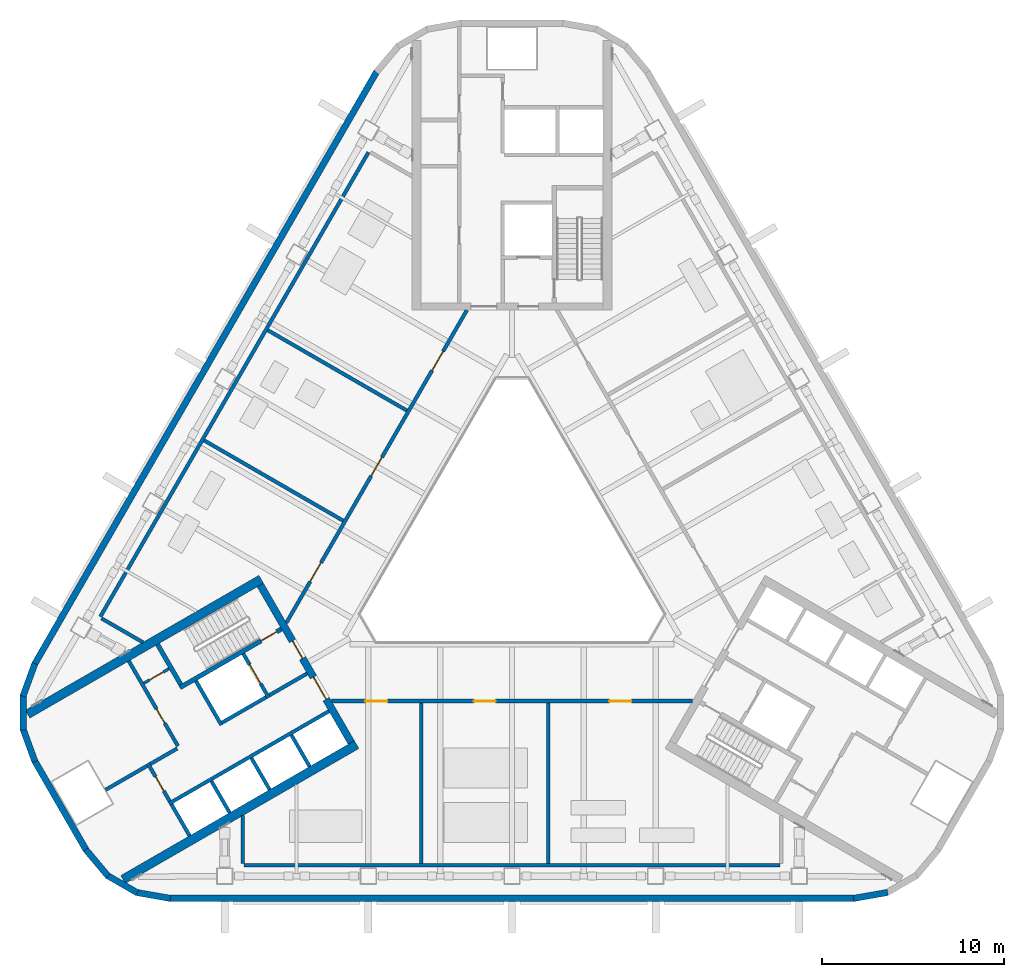
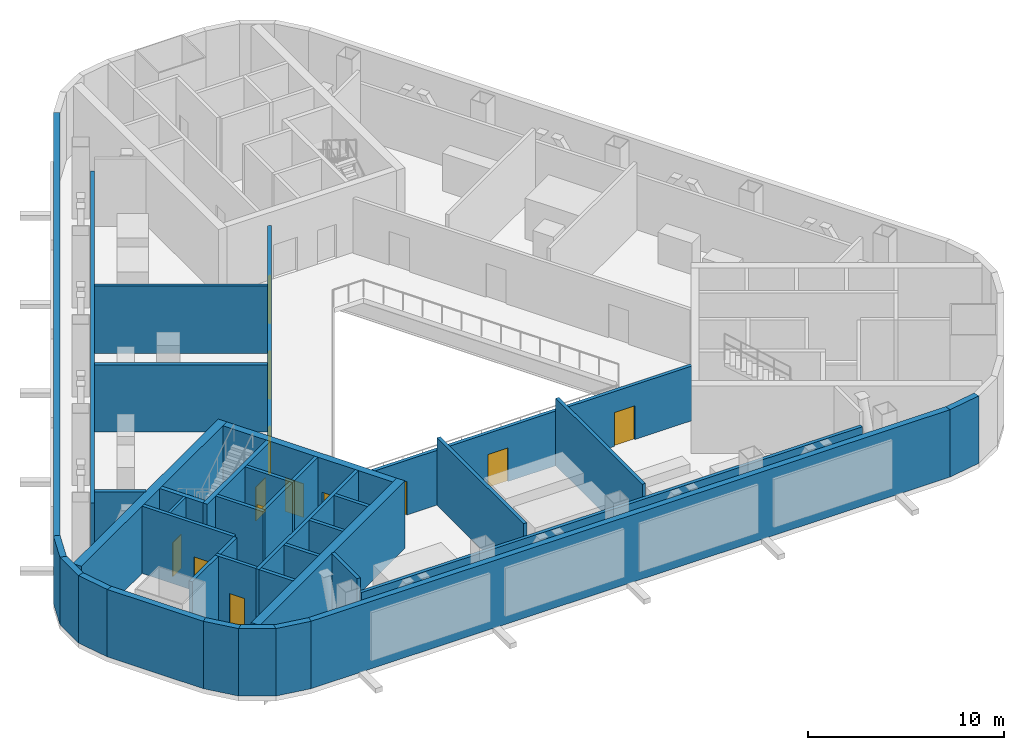
# One storey, part 7 of 15: 39 walls, 13 doors, 13 openings.
"""IFC4 building model written with IfcOpenShell, lengths in metres."""

import ifcopenshell
import ifcopenshell.guid

model = None  # the IFC model being written
_history = None  # IfcOwnerHistory: only IFC2X3 demands one
_inside = {}  # id of a spatial element -> (the spatial element, [elements in it])
_under = {}  # id of a project, library or spatial element -> (it, [spatial elements below it])
_declared = {}  # id of a project -> (the project, [libraries it declares])
_typed = {}  # id of a type object -> (the type object, [elements of that type])
_made_of = {}  # id of a material, layer set ... -> (it, [elements and type objects made of it])


def new_model(schema):
    """Start an empty IFC model of exactly this schema.

    Asked for "IFC4X3", IfcOpenShell would pick the latest addendum, in which some entities
    have other attributes; the version numbers below select the first issue.
    IFC2X3 requires an IfcOwnerHistory on every rooted entity: one is made here for all.
    """
    global model, _history
    if schema == "IFC4X3":
        model = ifcopenshell.file(schema_version=(4, 3, 0, 0))
    else:
        model = ifcopenshell.file(schema=schema)
    _inside.clear()
    _under.clear()
    _declared.clear()
    _typed.clear()
    _made_of.clear()
    _history = None
    if model.schema == "IFC2X3":
        org = make("IfcOrganization", Name="unknown")
        user = make(
            "IfcPersonAndOrganization",
            ThePerson=make("IfcPerson", FamilyName="unknown"),
            TheOrganization=org,
        )
        app = make(
            "IfcApplication",
            ApplicationDeveloper=org,
            Version="unknown",
            ApplicationFullName="unknown",
            ApplicationIdentifier="unknown",
        )
        _history = make(
            "IfcOwnerHistory",
            OwningUser=user,
            OwningApplication=app,
            ChangeAction="ADDED",
            CreationDate=0,
        )
    return model


def make(cls, **values):
    """One entity of the class cls with the attributes given. An attribute that is None is left unset."""
    return model.create_entity(
        cls, **{name: value for name, value in values.items() if value is not None}
    )


def rooted(cls, **values):
    """An entity with a GlobalId (a new one), such as an element, a storey or a relation."""
    return make(cls, GlobalId=ifcopenshell.guid.new(), OwnerHistory=_history, **values)


def si_unit(unit_type, name, prefix=None):
    """IfcSIUnit, for example si_unit("LENGTHUNIT", "METRE", prefix="MILLI")."""
    return make("IfcSIUnit", UnitType=unit_type, Prefix=prefix, Name=name)


def assignment(units):
    """IfcUnitAssignment: the units of a project."""
    return None if units is None else make("IfcUnitAssignment", Units=units)


def point(xyz):
    """IfcCartesianPoint."""
    return None if xyz is None else make("IfcCartesianPoint", Coordinates=xyz)


def direction(xyz):
    """IfcDirection."""
    return None if xyz is None else make("IfcDirection", DirectionRatios=xyz)


def frame(location, z_axis=None, x_axis=None):
    """IfcAxis2Placement3D, a coordinate frame: its origin and axes. An axis left out is left unset."""
    return make(
        "IfcAxis2Placement3D",
        Location=point(location),
        Axis=direction(z_axis),
        RefDirection=direction(x_axis),
    )


def frame_2d(location, x_axis=None):
    """IfcAxis2Placement2D, a coordinate frame in the plane: its origin and x axis."""
    return make(
        "IfcAxis2Placement2D", Location=point(location), RefDirection=direction(x_axis)
    )


def origin():
    """The frame at (0, 0, 0) with its axes left unset."""
    return frame((0.0, 0.0, 0.0))


def place(relative_to, where):
    """IfcLocalPlacement: puts the frame where relative to a parent placement (None: the world)."""
    return make(
        "IfcLocalPlacement", PlacementRelTo=relative_to, RelativePlacement=where
    )


def context(
    kind, dimensions, precision=None, world=None, true_north=None, identifier=None
):
    """IfcGeometricRepresentationContext, for example the 3D "Model" context."""
    return make(
        "IfcGeometricRepresentationContext",
        ContextIdentifier=identifier,
        ContextType=kind,
        CoordinateSpaceDimension=dimensions,
        Precision=precision,
        WorldCoordinateSystem=world,
        TrueNorth=true_north,
    )


def subcontext(parent, identifier, kind, view, scale=None):
    """IfcGeometricRepresentationSubContext, for example "Body" below "Model"."""
    return make(
        "IfcGeometricRepresentationSubContext",
        ContextIdentifier=identifier,
        ContextType=kind,
        ParentContext=parent,
        TargetScale=scale,
        TargetView=view,
    )


def project(units=None, contexts=None):
    """IfcProject with its units and contexts."""
    return rooted(
        "IfcProject",
        Name="project",
        RepresentationContexts=contexts,
        UnitsInContext=assignment(units),
    )


def spatial(cls, under=None, at=None, **own):
    """A site, building, storey or space (cls), placed at a placement, below another one or the project."""
    s = rooted(cls, ObjectPlacement=at, **own)
    if under is not None:
        _under.setdefault(under.id(), (under, []))[1].append(s)
    return s


def profile(cls, at=None, kind="AREA", **sizes):
    """A parametric profile (cls). Its sizes go by their IFC names, for example OverallWidth=200.0."""
    return make(cls, ProfileType=kind, Position=at, **sizes)


def rectangle(**sizes):
    """IfcRectangleProfileDef."""
    return profile("IfcRectangleProfileDef", **sizes)


def extrude(swept, where, along, depth):
    """IfcExtrudedAreaSolid: the profile swept, set in the frame where, extruded along a direction by depth."""
    return make(
        "IfcExtrudedAreaSolid",
        SweptArea=swept,
        Position=where,
        ExtrudedDirection=direction(along),
        Depth=depth,
    )


def shape(context_of_items, identifier, shape_type, items):
    """IfcShapeRepresentation: the items that make up one representation, for example the "Body"."""
    return make(
        "IfcShapeRepresentation",
        ContextOfItems=context_of_items,
        RepresentationIdentifier=identifier,
        RepresentationType=shape_type,
        Items=items,
    )


def material(Name=None, Category=None):
    """IfcMaterial."""
    return make("IfcMaterial", Name=Name, Category=Category)


def layer(
    of_material, thickness, ventilated=None, Name=None, Category=None, Priority=None
):
    """IfcMaterialLayer: one layer of a wall or slab, of a material (None: an air gap)."""
    return make(
        "IfcMaterialLayer",
        Material=of_material,
        LayerThickness=thickness,
        IsVentilated=ventilated,
        Name=Name,
        Category=Category,
        Priority=Priority,
    )


def layer_set(layers, Name=None):
    """IfcMaterialLayerSet."""
    return make("IfcMaterialLayerSet", MaterialLayers=layers, LayerSetName=Name)


def made_of(thing, what):
    """Note that an element or type object is made of a material, layer set ...; save() writes the relation."""
    if what is not None:
        _made_of.setdefault(what.id(), (what, []))[1].append(thing)
    return thing


def type_object(cls, material=None, **own):
    """A type object (cls), such as IfcWallType, which elements share."""
    return made_of(rooted(cls, **own), material)


def element(
    cls,
    number,
    at=None,
    inside=None,
    cuts=None,
    type_object=None,
    material=None,
    context=None,
    identifier="Body",
    shape_type=None,
    held_by="IfcProductDefinitionShape",
    body=None,
    shapes=None,
    **own,
):
    """One element of the class cls, such as IfcWall. Its Tag is "e" and its number.

    at: its placement. inside: the storey or other place that contains it. cuts: it is an
    opening in that element (IfcRelVoidsElement). A single representation is given by context,
    identifier, shape_type and body (its items); several are given by shapes. held_by: the class
    of the entity that holds the representations. save() writes the other relations.
    """
    e = rooted(cls, Tag="e%d" % number, ObjectPlacement=at, **own)
    if body is not None:
        shapes = [shape(context, identifier, shape_type, body)]
    if shapes is not None:
        e.Representation = make(held_by, Representations=shapes)
    if inside is not None:
        _inside.setdefault(inside.id(), (inside, []))[1].append(e)
    if cuts is not None:
        rooted(
            "IfcRelVoidsElement", RelatingBuildingElement=cuts, RelatedOpeningElement=e
        )
    if type_object is not None:
        _typed.setdefault(type_object.id(), (type_object, []))[1].append(e)
    return made_of(e, material)


def fill(opening, filler):
    """IfcRelFillsElement: the door or window that sits in an opening."""
    return rooted(
        "IfcRelFillsElement",
        RelatingOpeningElement=opening,
        RelatedBuildingElement=filler,
    )


def aggregate(whole, parts):
    """IfcRelAggregates: a whole, such as a stair, and the parts it consists of."""
    return rooted("IfcRelAggregates", RelatingObject=whole, RelatedObjects=parts)


def save(model, path):
    """Write the relations noted so far, then the file.

    IfcRelAggregates (storeys below a building ...), IfcRelContainedInSpatialStructure (elements
    in a storey), IfcRelDefinesByType, IfcRelAssociatesMaterial and IfcRelDeclares: one each for
    every whole, place, type object, material and project.
    """
    for whole, parts in _under.values():
        aggregate(whole, parts)
    for where, things in _inside.values():
        rooted(
            "IfcRelContainedInSpatialStructure",
            RelatedElements=things,
            RelatingStructure=where,
        )
    for kind, things in _typed.values():
        rooted("IfcRelDefinesByType", RelatedObjects=things, RelatingType=kind)
    for what, things in _made_of.values():
        rooted("IfcRelAssociatesMaterial", RelatedObjects=things, RelatingMaterial=what)
    for by, libraries in _declared.values():
        rooted("IfcRelDeclares", RelatingContext=by, RelatedDefinitions=libraries)
    model.write(path)


model = new_model("IFC4")

# Units and contexts
model_context = context("Model", 3, precision=1e-05, world=origin(), true_north=direction((0.0, 1.0)))
body_context = subcontext(model_context, "Body", "Model", "MODEL_VIEW")
ifc_project = project(units=[si_unit("LENGTHUNIT", "METRE"), si_unit("AREAUNIT", "SQUARE_METRE"), si_unit("VOLUMEUNIT", "CUBIC_METRE"), si_unit("PLANEANGLEUNIT", "RADIAN"), si_unit("MASSUNIT", "GRAM", prefix="KILO")], contexts=[model_context])

# Site, building, storey
site_placement = place(None, origin())
site = spatial("IfcSite", under=ifc_project, at=site_placement, CompositionType="ELEMENT")
building_placement = place(site_placement, origin())
building = spatial("IfcBuilding", under=site, at=building_placement, Name="Apuvela Tower Hotel", CompositionType="ELEMENT")
storey_placement = place(building_placement, frame((0.0, 0.0, 137.60009765625)))
storey = spatial("IfcBuildingStorey", under=building, at=storey_placement, Name="L32 Plant", CompositionType="ELEMENT", Elevation=137.60009765625)

# Wall, openings, doors
ifc_material_1 = material(Name="Concrete C50/60", Category="concrete")
ifc_layer_1 = layer(ifc_material_1, 0.39990234375)
ifc_layer_set_1 = layer_set([ifc_layer_1], Name="COR-WALL-CORE-400")
wall_type_1 = type_object("IfcWallType", Name="COR-WALL-CORE-400", PredefinedType="SHEAR", material=ifc_layer_set_1)
wall_1_placement = place(storey_placement, frame((-13.844970703125, -2.219970703125, 0.0), z_axis=(0.0, 0.0, 1.0), x_axis=(0.500004234368, -0.866022959057, 0.0)))
wall_1 = element("IfcWall", 1, at=wall_1_placement, inside=storey, type_object=wall_type_1, Name="Core wall SW", PredefinedType="SHEAR", context=body_context, shape_type="SweptSolid", body=[
    extrude(rectangle(XDim=10.0, YDim=0.39990234375, at=frame_2d((5.0, 0.0))), origin(), (0.0, 0.0, 1.0), 4.199951171875),
])
opening_1_placement = place(wall_1_placement, frame((3.550048828125, 0.0, 0.0)))
opening_1 = element("IfcOpeningElement", 2, at=opening_1_placement, cuts=wall_1, Name="Opening W-FD", PredefinedType="OPENING", context=body_context, shape_type="SweptSolid", body=[
    extrude(rectangle(XDim=1.10009765625, YDim=2.10009765625, at=frame_2d((0.550048828125, 1.050048828125))), frame((0.0, 0.2099609375, 0.0), z_axis=(0.0, -1.0, 0.0), x_axis=(1.0, 0.0, 0.0)), (0.0, 0.0, 1.0), 0.419921875),
])
opening_2_placement = place(wall_1_placement, frame((5.85009765625, 0.0, 0.0)))
opening_2 = element("IfcOpeningElement", 3, at=opening_2_placement, cuts=wall_1, Name="Opening W-GD", PredefinedType="OPENING", context=body_context, shape_type="SweptSolid", body=[
    extrude(rectangle(XDim=1.39990234375, YDim=2.10009765625, at=frame_2d((0.699951171875, 1.050048828125))), frame((0.0, 0.2099609375, 0.0), z_axis=(0.0, -1.0, 0.0), x_axis=(1.0, 0.0, 0.0)), (0.0, 0.0, 1.0), 0.419921875),
])
ifc_material_2 = material(Name="Steel fire door, powder coated", Category="steel")
door_type_1 = type_object("IfcDoorType", Name="COR-FD-1100", OperationType="NOTDEFINED", PredefinedType="DOOR", material=ifc_material_2)
door_1_placement = place(opening_1_placement, frame((1.10009765625, 0.0, 0.0), z_axis=(0.0, 0.0, 1.0), x_axis=(-1.0, 0.0, 0.0)))
door_1 = element("IfcDoor", 4, at=door_1_placement, inside=storey, type_object=door_type_1, Name="Firefighting lobby door W-FD", OperationType="SINGLE_SWING_LEFT", OverallHeight=2.10009765625, OverallWidth=1.10009765625, PredefinedType="DOOR", context=body_context, shape_type="SweptSolid", body=[
    extrude(rectangle(XDim=1.10009765625, YDim=2.10009765625, at=frame_2d((0.550048828125, 1.050048828125))), frame((0.0, 0.02490234375, 0.0), z_axis=(0.0, -1.0, 0.0), x_axis=(1.0, 0.0, 0.0)), (0.0, 0.0, 1.0), 0.050048828125),
])
fill(opening_1, door_1)
ifc_material_3 = material(Name="Glazed steel fire door", Category="steel")
door_type_2 = type_object("IfcDoorType", Name="COR-GD-1400", OperationType="DOUBLE_DOOR_SINGLE_SWING", PredefinedType="DOOR", material=ifc_material_3)
door_2_placement = place(opening_2_placement, frame((1.39990234375, 0.0, 0.0), z_axis=(0.0, 0.0, 1.0), x_axis=(-1.0, 0.0, 0.0)))
door_2 = element("IfcDoor", 5, at=door_2_placement, inside=storey, type_object=door_type_2, Name="Lift lobby door W-GD", OperationType="DOUBLE_DOOR_SINGLE_SWING", OverallHeight=2.10009765625, OverallWidth=1.39990234375, PredefinedType="DOOR", context=body_context, shape_type="SweptSolid", body=[
    extrude(rectangle(XDim=1.39990234375, YDim=2.10009765625, at=frame_2d((0.699951171875, 1.050048828125))), frame((0.0, 0.02490234375, 0.0), z_axis=(0.0, -1.0, 0.0), x_axis=(1.0, 0.0, 0.0)), (0.0, 0.0, 1.0), 0.050048828125),
])
fill(opening_2, door_2)

# Walls
ifc_layer_2 = layer(ifc_material_1, 0.5)
ifc_layer_set_2 = layer_set([ifc_layer_2], Name="COR-WALL-CORE-500")
wall_type_2 = type_object("IfcWallType", Name="COR-WALL-CORE-500", PredefinedType="SHEAR", material=ifc_layer_set_2)
for number, where, z_axis, x_axis, name in (
    (6, (-13.796630859375, -1.9033203125, 0.0), (0.0, 0.0, 1.0), (-0.866025009528, -0.500000682871, 0.0), "Core wall SW"),
    (7, (-8.546630859375, -10.99658203125, 0.0), (0.0, 0.0, 1.0), (-0.866025009528, -0.500000682871, 0.0), "Core wall SW"),
):
    element("IfcWall", number, at=place(storey_placement, frame(where, z_axis=z_axis, x_axis=x_axis)), inside=storey, type_object=wall_type_2, Name=name, PredefinedType="SHEAR", context=body_context, shape_type="SweptSolid", body=[
        extrude(rectangle(XDim=14.8369140625, YDim=0.5, at=frame_2d((7.41845703125, 0.0))), origin(), (0.0, 0.0, 1.0), 4.199951171875),
    ])

# Wall, opening, door
ifc_material_4 = material(Name="Blockwork 150 mm plastered", Category="masonry")
ifc_layer_3 = layer(ifc_material_4, 0.14990234375)
ifc_layer_set_3 = layer_set([ifc_layer_3], Name="COR-WALL-PART-150")
wall_type_3 = type_object("IfcWallType", Name="COR-WALL-PART-150", PredefinedType="PARTITIONING", material=ifc_layer_set_3)
wall_2_placement = place(storey_placement, frame((-18.866455078125, -6.822265625, 0.0), z_axis=(0.0, 0.0, 1.0), x_axis=(-0.866028054938, -0.499995408039, 0.0)))
wall_2 = element("IfcWall", 8, at=wall_2_placement, inside=storey, type_object=wall_type_3, Name="Partition SW", PredefinedType="PARTITIONING", context=body_context, shape_type="SweptSolid", body=[
    extrude(rectangle(XDim=1.60009765625, YDim=0.14990234375, at=frame_2d((0.800048828125, 0.0))), origin(), (0.0, 0.0, 1.0), 4.199951171875),
])
opening_3_placement = place(wall_2_placement, frame((0.35009765625, 0.0, 0.0)))
opening_3 = element("IfcOpeningElement", 9, at=opening_3_placement, cuts=wall_2, Name="Opening W-RD", PredefinedType="OPENING", context=body_context, shape_type="SweptSolid", body=[
    extrude(rectangle(XDim=0.89990234375, YDim=2.10009765625, at=frame_2d((0.449951171875, 1.050048828125))), frame((0.0, 0.0849609375, 0.0), z_axis=(0.0, -1.0, 0.0), x_axis=(1.0, 0.0, 0.0)), (0.0, 0.0, 1.0), 0.169921875),
])
ifc_material_5 = material(Name="Steel access door, powder coated", Category="steel")
door_type_3 = type_object("IfcDoorType", Name="COR-RD-900", OperationType="NOTDEFINED", PredefinedType="DOOR", material=ifc_material_5)
door_3_placement = place(opening_3_placement, frame((0.89990234375, 0.0, 0.0), z_axis=(0.0, 0.0, 1.0), x_axis=(-1.0, 0.0, 0.0)))
door_3 = element("IfcDoor", 10, at=door_3_placement, inside=storey, type_object=door_type_3, Name="Riser door W-RD", OperationType="SINGLE_SWING_RIGHT", OverallHeight=2.10009765625, OverallWidth=0.89990234375, PredefinedType="DOOR", context=body_context, shape_type="SweptSolid", body=[
    extrude(rectangle(XDim=0.89990234375, YDim=2.10009765625, at=frame_2d((0.449951171875, 1.050048828125))), frame((0.0, 0.02490234375, 0.0), z_axis=(0.0, -1.0, 0.0), x_axis=(1.0, 0.0, 0.0)), (0.0, 0.0, 1.0), 0.050048828125),
])
fill(opening_3, door_3)

ifc_material_6 = material(Name="Blockwork 200 mm plastered", Category="masonry")
ifc_layer_4 = layer(ifc_material_6, 0.199951171875)
ifc_layer_set_4 = layer_set([ifc_layer_4], Name="COR-WALL-PART-200")
wall_type_4 = type_object("IfcWallType", Name="COR-WALL-PART-200", PredefinedType="PARTITIONING", material=ifc_layer_set_4)
wall_3_placement = place(storey_placement, frame((-21.076171875, -6.39501953125, 0.0), z_axis=(0.0, 0.0, 1.0), x_axis=(0.50001468107, -0.866016927499, 0.0)))
wall_3 = element("IfcWall", 11, at=wall_3_placement, inside=storey, type_object=wall_type_4, Name="Partition SW", PredefinedType="PARTITIONING", context=body_context, shape_type="SweptSolid", body=[
    extrude(rectangle(XDim=5.399658203125, YDim=0.199951171875, at=frame_2d((2.69970703125, 0.0))), origin(), (0.0, 0.0, 1.0), 4.199951171875),
])
opening_4_placement = place(wall_3_placement, frame((3.050048828125, 0.0, 0.0)))
opening_4 = element("IfcOpeningElement", 12, at=opening_4_placement, cuts=wall_3, Name="Opening W-RS1", PredefinedType="OPENING", context=body_context, shape_type="SweptSolid", body=[
    extrude(rectangle(XDim=0.89990234375, YDim=2.10009765625, at=frame_2d((0.449951171875, 1.050048828125))), frame((0.0, 0.10986328125, 0.0), z_axis=(0.0, -1.0, 0.0), x_axis=(1.0, 0.0, 0.0)), (0.0, 0.0, 1.0), 0.219970703125),
])
door_type_4 = type_object("IfcDoorType", Name="COR-DR-900", OperationType="NOTDEFINED", PredefinedType="DOOR", material=ifc_material_2)
door_4_placement = place(opening_4_placement, frame((0.89990234375, 0.0, 0.0), z_axis=(0.0, 0.0, 1.0), x_axis=(-1.0, 0.0, 0.0)))
door_4 = element("IfcDoor", 13, at=door_4_placement, inside=storey, type_object=door_type_4, Name="Store door W-RS1", OperationType="SINGLE_SWING_LEFT", OverallHeight=2.10009765625, OverallWidth=0.89990234375, PredefinedType="DOOR", context=body_context, shape_type="SweptSolid", body=[
    extrude(rectangle(XDim=0.89990234375, YDim=2.10009765625, at=frame_2d((0.449951171875, 1.050048828125))), frame((0.0, 0.02490234375, 0.0), z_axis=(0.0, -1.0, 0.0), x_axis=(1.0, 0.0, 0.0)), (0.0, 0.0, 1.0), 0.050048828125),
])
fill(opening_4, door_4)

# Wall
ifc_layer_5 = layer(ifc_material_1, 0.199951171875)
ifc_layer_set_5 = layer_set([ifc_layer_5], Name="COR-WALL-SHAFT-200")
wall_type_5 = type_object("IfcWallType", Name="COR-WALL-SHAFT-200", PredefinedType="SHEAR", material=ifc_layer_set_5)
wall_4_placement = place(storey_placement, frame((-17.38134765625, -7.49462890625, 0.0), z_axis=(0.0, 0.0, 1.0), x_axis=(0.500011755427, -0.866018616679, 0.0)))
element("IfcWall", 14, at=wall_4_placement, inside=storey, type_object=wall_type_5, Name="Shaft wall SW", PredefinedType="SHEAR", context=body_context, shape_type="SweptSolid", body=[
    extrude(rectangle(XDim=2.80029296875, YDim=0.199951171875, at=frame_2d((1.400146484375, 0.0))), origin(), (0.0, 0.0, 1.0), 4.199951171875),
])

# Wall, opening, door
wall_5_placement = place(storey_placement, frame((-14.783203125, -5.99462890625, 0.0), z_axis=(0.0, 0.0, 1.0), x_axis=(0.49994636267, -0.866056369097, 0.0)))
wall_5 = element("IfcWall", 15, at=wall_5_placement, inside=storey, type_object=wall_type_5, Name="Shaft wall SW", PredefinedType="SHEAR", context=body_context, shape_type="SweptSolid", body=[
    extrude(rectangle(XDim=2.800048828125, YDim=0.199951171875, at=frame_2d((1.39990234375, 0.0))), origin(), (0.0, 0.0, 1.0), 4.199951171875),
])
opening_5_placement = place(wall_5_placement, frame((0.699951171875, 0.0, 0.0)))
opening_5 = element("IfcOpeningElement", 16, at=opening_5_placement, cuts=wall_5, Name="Opening W-LD-FS2", PredefinedType="OPENING", context=body_context, shape_type="SweptSolid", body=[
    extrude(rectangle(XDim=1.199951171875, YDim=2.10009765625, at=frame_2d((0.60009765625, 1.050048828125))), frame((0.0, 0.10986328125, 0.0), z_axis=(0.0, -1.0, 0.0), x_axis=(1.0, 0.0, 0.0)), (0.0, 0.0, 1.0), 0.219970703125),
])
ifc_material_7 = material(Name="Stainless steel lift landing door", Category="steel")
door_type_5 = type_object("IfcDoorType", Name="COR-LD-1200", OperationType="DOUBLE_DOOR_SLIDING", PredefinedType="DOOR", material=ifc_material_7)
door_5_placement = place(opening_5_placement, origin())
door_5 = element("IfcDoor", 17, at=door_5_placement, inside=storey, type_object=door_type_5, Name="Lift landing door W-LD-FS2", OperationType="DOUBLE_DOOR_SLIDING", OverallHeight=2.10009765625, OverallWidth=1.199951171875, PredefinedType="DOOR", context=body_context, shape_type="SweptSolid", body=[
    extrude(rectangle(XDim=1.199951171875, YDim=2.10009765625, at=frame_2d((0.60009765625, 1.050048828125))), frame((0.0, 0.02490234375, 0.0), z_axis=(0.0, -1.0, 0.0), x_axis=(1.0, 0.0, 0.0)), (0.0, 0.0, 1.0), 0.050048828125),
])
fill(opening_5, door_5)

# Walls
wall_6_placement = place(storey_placement, frame((-13.519775390625, -8.383056640625, 0.0), z_axis=(0.0, 0.0, 1.0), x_axis=(-0.866034573852, -0.49998411664, 0.0)))
element("IfcWall", 18, at=wall_6_placement, inside=storey, type_object=wall_type_5, Name="Shaft wall SW", PredefinedType="SHEAR", context=body_context, shape_type="SweptSolid", body=[
    extrude(rectangle(XDim=2.7998046875, YDim=0.199951171875, at=frame_2d((1.39990234375, 0.0))), origin(), (0.0, 0.0, 1.0), 4.199951171875),
])
wall_7_placement = place(storey_placement, frame((-11.26806640625, -7.0830078125, 0.0), z_axis=(0.0, 0.0, 1.0), x_axis=(-0.866050077142, -0.499957262057, 0.0)))
element("IfcWall", 19, at=wall_7_placement, inside=storey, type_object=wall_type_5, Name="Shaft wall SW", PredefinedType="SHEAR", context=body_context, shape_type="SweptSolid", body=[
    extrude(rectangle(XDim=2.400146484375, YDim=0.199951171875, at=frame_2d((1.2001953125, 0.0))), origin(), (0.0, 0.0, 1.0), 4.199951171875),
])
wall_8_placement = place(storey_placement, frame((-10.068115234375, -9.16162109375, 0.0), z_axis=(0.0, 0.0, 1.0), x_axis=(-0.866032725843, -0.499987317609, 0.0)))
element("IfcWall", 20, at=wall_8_placement, inside=storey, type_object=wall_type_5, Name="Shaft wall SW", PredefinedType="SHEAR", context=body_context, shape_type="SweptSolid", body=[
    extrude(rectangle(XDim=10.159912109375, YDim=0.199951171875, at=frame_2d((5.080078125, 0.0))), origin(), (0.0, 0.0, 1.0), 4.199951171875),
])

# Wall, opening, door
wall_9_placement = place(storey_placement, frame((-20.030517578125, -12.0263671875, 0.0), z_axis=(0.0, 0.0, 1.0), x_axis=(0.500033551112, -0.866006032174, 0.0)))
wall_9 = element("IfcWall", 21, at=wall_9_placement, inside=storey, type_object=wall_type_5, Name="Shaft wall SW", PredefinedType="SHEAR", context=body_context, shape_type="SweptSolid", body=[
    extrude(rectangle(XDim=2.400146484375, YDim=0.199951171875, at=frame_2d((1.2001953125, 0.0))), origin(), (0.0, 0.0, 1.0), 4.199951171875),
])
opening_6_placement = place(wall_9_placement, frame((0.85009765625, 0.0, 0.0)))
opening_6 = element("IfcOpeningElement", 22, at=opening_6_placement, cuts=wall_9, Name="Opening W-REP", PredefinedType="OPENING", context=body_context, shape_type="SweptSolid", body=[
    extrude(rectangle(XDim=0.89990234375, YDim=2.10009765625, at=frame_2d((0.449951171875, 1.050048828125))), frame((0.0, 0.10986328125, 0.0), z_axis=(0.0, -1.0, 0.0), x_axis=(1.0, 0.0, 0.0)), (0.0, 0.0, 1.0), 0.219970703125),
])
door_6_placement = place(opening_6_placement, frame((0.89990234375, 0.0, 0.0), z_axis=(0.0, 0.0, 1.0), x_axis=(-1.0, 0.0, 0.0)))
door_6 = element("IfcDoor", 23, at=door_6_placement, inside=storey, type_object=door_type_4, Name="Store door W-REP", OperationType="SINGLE_SWING_LEFT", OverallHeight=2.10009765625, OverallWidth=0.89990234375, PredefinedType="DOOR", context=body_context, shape_type="SweptSolid", body=[
    extrude(rectangle(XDim=0.89990234375, YDim=2.10009765625, at=frame_2d((0.449951171875, 1.050048828125))), frame((0.0, 0.02490234375, 0.0), z_axis=(0.0, -1.0, 0.0), x_axis=(1.0, 0.0, 0.0)), (0.0, 0.0, 1.0), 0.050048828125),
])
fill(opening_6, door_6)

# Walls
wall_10_placement = place(storey_placement, frame((-18.412841796875, -11.2080078125, 0.0), z_axis=(0.0, 0.0, 1.0), x_axis=(-0.866038183914, -0.499977863513, 0.0)))
element("IfcWall", 24, at=wall_10_placement, inside=storey, type_object=wall_type_5, Name="Shaft wall SW", PredefinedType="SHEAR", context=body_context, shape_type="SweptSolid", body=[
    extrude(rectangle(XDim=1.7099609375, YDim=0.199951171875, at=frame_2d((0.85498046875, 0.0))), origin(), (0.0, 0.0, 1.0), 4.199951171875),
])
for number, where, z_axis, x_axis, name in (
    (25, (-12.131103515625, -10.468017578125, 0.0), (0.0, 0.0, 1.0), (0.499972520799, -0.866041268327, 0.0), "Shaft wall SW"),
    (26, (-14.330810546875, -11.738037109375, 0.0), (0.0, 0.0, 1.0), (0.499972520799, -0.866041268327, 0.0), "Shaft wall SW"),
    (27, (-16.530517578125, -13.008056640625, 0.0), (0.0, 0.0, 1.0), (0.50002537861, -0.866010750942, 0.0), "Shaft wall SW"),
    (28, (-18.73046875, -14.278076171875, 0.0), (0.0, 0.0, 1.0), (0.50002537861, -0.866010750942, 0.0), "Shaft wall SW"),
):
    element("IfcWall", number, at=place(storey_placement, frame(where, z_axis=z_axis, x_axis=x_axis)), inside=storey, type_object=wall_type_5, Name=name, PredefinedType="SHEAR", context=body_context, shape_type="SweptSolid", body=[
        extrude(rectangle(XDim=2.0, YDim=0.199951171875, at=frame_2d((1.0, 0.0))), origin(), (0.0, 0.0, 1.0), 4.199951171875),
    ])
wall_11_placement = place(storey_placement, frame((-20.06689453125, -12.1630859375, 0.0), z_axis=(0.0, 0.0, 1.0), x_axis=(-0.866060851709, -0.499938597367, 0.0)))
element("IfcWall", 29, at=wall_11_placement, inside=storey, type_object=wall_type_5, Name="Shaft wall SW", PredefinedType="SHEAR", context=body_context, shape_type="SweptSolid", body=[
    extrude(rectangle(XDim=2.639892578125, YDim=0.199951171875, at=frame_2d((1.31982421875, 0.0))), origin(), (0.0, 0.0, 1.0), 4.199951171875),
])

# Wall, opening, door
ifc_layer_6 = layer(ifc_material_1, 0.25)
ifc_layer_set_6 = layer_set([ifc_layer_6], Name="COR-WALL-STAIR-250")
wall_type_6 = type_object("IfcWallType", Name="COR-WALL-STAIR-250", PredefinedType="SHEAR", material=ifc_layer_set_6)
wall_12_placement = place(storey_placement, frame((-12.6806640625, -4.636474609375, 0.0), z_axis=(0.0, 0.0, 1.0), x_axis=(-0.866021702275, -0.500006411147, 0.0)))
wall_12 = element("IfcWall", 30, at=wall_12_placement, inside=storey, type_object=wall_type_6, Name="Stair wall SW", PredefinedType="SHEAR", context=body_context, shape_type="SweptSolid", body=[
    extrude(rectangle(XDim=6.4501953125, YDim=0.25, at=frame_2d((3.22509765625, 0.0))), origin(), (0.0, 0.0, 1.0), 4.199951171875),
])
opening_7_placement = place(wall_12_placement, frame((0.300048828125, 0.0, 0.0)))
opening_7 = element("IfcOpeningElement", 31, at=opening_7_placement, cuts=wall_12, Name="Opening W-SD", PredefinedType="OPENING", context=body_context, shape_type="SweptSolid", body=[
    extrude(rectangle(XDim=1.0, YDim=2.10009765625, at=frame_2d((0.5, 1.050048828125))), frame((0.0, 0.135009765625, 0.0), z_axis=(0.0, -1.0, 0.0), x_axis=(1.0, 0.0, 0.0)), (0.0, 0.0, 1.0), 0.27001953125),
])
door_type_6 = type_object("IfcDoorType", Name="COR-SD-1000", OperationType="NOTDEFINED", PredefinedType="DOOR", material=ifc_material_2)
door_7_placement = place(opening_7_placement, frame((1.0, 0.0, 0.0), z_axis=(0.0, 0.0, 1.0), x_axis=(-1.0, 0.0, 0.0)))
door_7 = element("IfcDoor", 32, at=door_7_placement, inside=storey, type_object=door_type_6, Name="Stair door W-SD", OperationType="SINGLE_SWING_LEFT", OverallHeight=2.10009765625, OverallWidth=1.0, PredefinedType="DOOR", context=body_context, shape_type="SweptSolid", body=[
    extrude(rectangle(XDim=1.0, YDim=2.10009765625, at=frame_2d((0.5, 1.050048828125))), frame((0.0, 0.02490234375, 0.0), z_axis=(0.0, -1.0, 0.0), x_axis=(1.0, 0.0, 0.0)), (0.0, 0.0, 1.0), 0.050048828125),
])
fill(opening_7, door_7)

# Walls
wall_13_placement = place(storey_placement, frame((-19.49560546875, -5.482421875, 0.0), z_axis=(0.0, 0.0, 1.0), x_axis=(0.499990435942, -0.866030925526, 0.0)))
element("IfcWall", 33, at=wall_13_placement, inside=storey, type_object=wall_type_6, Name="Stair wall SW", PredefinedType="SHEAR", context=body_context, shape_type="SweptSolid", body=[
    extrude(rectangle(XDim=2.5498046875, YDim=0.25, at=frame_2d((1.27490234375, 0.0))), origin(), (0.0, 0.0, 1.0), 4.199951171875),
])
ifc_material_8 = material(Name="Concrete C40/50, dark pigmented precast panel", Category="concrete")
ifc_layer_7 = layer(ifc_material_8, 0.35009765625)
ifc_layer_set_7 = layer_set([ifc_layer_7], Name="ENV-WALL-350")
wall_type_7 = type_object("IfcWallType", Name="ENV-WALL-350", PredefinedType="SOLIDWALL", material=ifc_layer_set_7)
wall_14_placement = place(storey_placement, frame((-7.440673828125, 26.0224609375, 0.0), z_axis=(0.0, 0.0, 1.0), x_axis=(-0.499998380999, -0.866026338513, 0.0)))
element("IfcWall", 34, at=wall_14_placement, inside=storey, type_object=wall_type_7, Name="External wall L32 Plant-07", PredefinedType="SOLIDWALL", context=body_context, shape_type="SweptSolid", body=[
    extrude(rectangle(XDim=37.63134765625, YDim=0.35009765625, at=frame_2d((18.815673828125, 0.0))), origin(), (0.0, 0.0, 1.0), 4.199951171875),
])
for number, where, z_axis, x_axis, name in (
    (35, (-26.24365234375, -6.539794921875, 0.0), (0.0, 0.0, 1.0), (-0.342030395486, -0.939688889242, 0.0), "External wall L32 Plant-08"),
    (36, (-26.88623046875, -8.27490234375, 0.0), (0.0, 0.0, 1.0), (0.0, -1.0, 0.0), "External wall L32 Plant-09"),
    (37, (-26.89697265625, -10.125244140625, 0.0), (0.0, 0.0, 1.0), (0.342030395486, -0.939688889242, 0.0), "External wall L32 Plant-10"),
):
    element("IfcWall", number, at=place(storey_placement, frame(where, z_axis=z_axis, x_axis=x_axis)), inside=storey, type_object=wall_type_7, Name=name, PredefinedType="SOLIDWALL", context=body_context, shape_type="SweptSolid", body=[
        extrude(rectangle(XDim=1.91015625, YDim=0.35009765625, at=frame_2d((0.955078125, 0.0))), origin(), (0.0, 0.0, 1.0), 4.199951171875),
    ])
wall_15_placement = place(storey_placement, frame((-26.25634765625, -11.892578125, 0.0), z_axis=(0.0, 0.0, 1.0), x_axis=(0.499986410639, -0.866033249463, 0.0)))
element("IfcWall", 38, at=wall_15_placement, inside=storey, type_object=wall_type_7, Name="External wall L32 Plant-11", PredefinedType="SOLIDWALL", context=body_context, shape_type="SweptSolid", body=[
    extrude(rectangle(XDim=5.657958984375, YDim=0.35009765625, at=frame_2d((2.8291015625, 0.0))), origin(), (0.0, 0.0, 1.0), 4.199951171875),
])
for number, where, z_axis, x_axis, name in (
    (39, (-23.44482421875, -16.767578125, 0.0), (0.0, 0.0, 1.0), (0.642808304945, -0.766027077259, 0.0), "External wall L32 Plant-12"),
    (40, (-22.263671875, -18.191650390625, 0.0), (0.0, 0.0, 1.0), (0.866000389056, -0.500043324278, 0.0), "External wall L32 Plant-13"),
):
    element("IfcWall", number, at=place(storey_placement, frame(where, z_axis=z_axis, x_axis=x_axis)), inside=storey, type_object=wall_type_7, Name=name, PredefinedType="SOLIDWALL", context=body_context, shape_type="SweptSolid", body=[
        extrude(rectangle(XDim=1.909912109375, YDim=0.35009765625, at=frame_2d((0.955078125, 0.0))), origin(), (0.0, 0.0, 1.0), 4.199951171875),
    ])
wall_16_placement = place(storey_placement, frame((-20.66650390625, -19.1259765625, 0.0), z_axis=(0.0, 0.0, 1.0), x_axis=(0.984798995425, -0.173697837091, 0.0)))
element("IfcWall", 41, at=wall_16_placement, inside=storey, type_object=wall_type_7, Name="External wall L32 Plant-14", PredefinedType="SOLIDWALL", context=body_context, shape_type="SweptSolid", body=[
    extrude(rectangle(XDim=1.91015625, YDim=0.35009765625, at=frame_2d((0.955078125, 0.0))), origin(), (0.0, 0.0, 1.0), 4.199951171875),
])
wall_17_placement = place(storey_placement, frame((-18.81591796875, -19.455078125, 0.0), z_axis=(0.0, 0.0, 1.0), x_axis=(1.0, 0.0, 0.0)))
element("IfcWall", 42, at=wall_17_placement, inside=storey, type_object=wall_type_7, Name="External wall L32 Plant-15", PredefinedType="SOLIDWALL", context=body_context, shape_type="SweptSolid", body=[
    extrude(rectangle(XDim=37.6318359375, YDim=0.35009765625, at=frame_2d((18.81591796875, 0.0))), origin(), (0.0, 0.0, 1.0), 4.199951171875),
])
wall_18_placement = place(storey_placement, frame((18.785400390625, -19.457763671875, 0.0), z_axis=(0.0, 0.0, 1.0), x_axis=(0.984798995425, 0.173697837091, 0.0)))
element("IfcWall", 43, at=wall_18_placement, inside=storey, type_object=wall_type_7, Name="External wall L32 Plant-16", PredefinedType="SOLIDWALL", context=body_context, shape_type="SweptSolid", body=[
    extrude(rectangle(XDim=1.91015625, YDim=0.35009765625, at=frame_2d((0.955078125, 0.0))), origin(), (0.0, 0.0, 1.0), 4.199951171875),
])
ifc_material_9 = material(Name="Reinforced blockwork B15", Category="masonry")
ifc_layer_8 = layer(ifc_material_9, 0.199951171875)
ifc_layer_set_8 = layer_set([ifc_layer_8], Name="SPC-WALL-PLANT")
wall_type_8 = type_object("IfcWallType", Name="SPC-WALL-PLANT", PredefinedType="PARTITIONING", material=ifc_layer_set_8)
wall_19_placement = place(storey_placement, frame((-14.800048828125, -17.530029296875, 0.0), z_axis=(0.0, 0.0, 1.0), x_axis=(0.0, 1.0, 0.0)))
element("IfcWall", 44, at=wall_19_placement, inside=storey, type_object=wall_type_8, Name="Wall L32-S-P03", PredefinedType="PARTITIONING", context=body_context, shape_type="SweptSolid", body=[
    extrude(rectangle(XDim=2.634521484375, YDim=0.199951171875, at=frame_2d((1.3173828125, 0.0))), origin(), (0.0, 0.0, 1.0), 4.199951171875),
])
for number, where, z_axis, x_axis, name in (
    (45, (-5.0, -17.530029296875, 0.0), (0.0, 0.0, 1.0), (0.0, 1.0, 0.0), "Wall L32-S-P04"),
    (46, (2.0, -17.530029296875, 0.0), (0.0, 0.0, 1.0), (0.0, 1.0, 0.0), "Wall L32-S-P05"),
):
    element("IfcWall", number, at=place(storey_placement, frame(where, z_axis=z_axis, x_axis=x_axis)), inside=storey, type_object=wall_type_8, Name=name, PredefinedType="PARTITIONING", context=body_context, shape_type="SweptSolid", body=[
        extrude(rectangle(XDim=8.830078125, YDim=0.199951171875, at=frame_2d((4.4150390625, 0.0))), origin(), (0.0, 0.0, 1.0), 4.199951171875),
    ])
wall_20_placement = place(storey_placement, frame((-14.75, -17.6298828125, 0.0), z_axis=(0.0, 0.0, 1.0), x_axis=(1.0, 0.0, 0.0)))
element("IfcWall", 47, at=wall_20_placement, inside=storey, type_object=wall_type_8, Name="Wall L32-S-FUR2", PredefinedType="PARTITIONING", context=body_context, shape_type="SweptSolid", body=[
    extrude(rectangle(XDim=29.5, YDim=0.199951171875, at=frame_2d((14.75, 0.0))), origin(), (0.0, 0.0, 1.0), 3.409912109375),
])

# Wall, openings, doors
wall_21_placement = place(storey_placement, frame((-9.930419921875, -8.60009765625, 0.0), z_axis=(0.0, 0.0, 1.0), x_axis=(1.0, 0.0, 0.0)))
wall_21 = element("IfcWall", 48, at=wall_21_placement, inside=storey, type_object=wall_type_8, Name="Wall L32-S-CW", PredefinedType="PARTITIONING", context=body_context, shape_type="SweptSolid", body=[
    extrude(rectangle(XDim=19.86083984375, YDim=0.199951171875, at=frame_2d((9.930419921875, 0.0))), origin(), (0.0, 0.0, 1.0), 3.409912109375),
])
opening_8_placement = place(wall_21_placement, frame((1.87109375, 0.0, 0.0)))
opening_8 = element("IfcOpeningElement", 49, at=opening_8_placement, cuts=wall_21, Name="Opening L32-S07", PredefinedType="OPENING", context=body_context, shape_type="SweptSolid", body=[
    extrude(rectangle(XDim=1.199951171875, YDim=2.10009765625, at=frame_2d((0.60009765625, 1.050048828125))), frame((0.0, 0.10986328125, 0.0), z_axis=(0.0, -1.0, 0.0), x_axis=(1.0, 0.0, 0.0)), (0.0, 0.0, 1.0), 0.219970703125),
])
opening_9_placement = place(wall_21_placement, frame((7.83056640625, 0.0, 0.0)))
opening_9 = element("IfcOpeningElement", 50, at=opening_9_placement, cuts=wall_21, Name="Opening L32-S08", PredefinedType="OPENING", context=body_context, shape_type="SweptSolid", body=[
    extrude(rectangle(XDim=1.199951171875, YDim=2.10009765625, at=frame_2d((0.60009765625, 1.050048828125))), frame((0.0, 0.10986328125, 0.0), z_axis=(0.0, -1.0, 0.0), x_axis=(1.0, 0.0, 0.0)), (0.0, 0.0, 1.0), 0.219970703125),
])
opening_10_placement = place(wall_21_placement, frame((15.2900390625, 0.0, 0.0)))
opening_10 = element("IfcOpeningElement", 51, at=opening_10_placement, cuts=wall_21, Name="Opening L32-S09", PredefinedType="OPENING", context=body_context, shape_type="SweptSolid", body=[
    extrude(rectangle(XDim=1.199951171875, YDim=2.10009765625, at=frame_2d((0.60009765625, 1.050048828125))), frame((0.0, 0.10986328125, 0.0), z_axis=(0.0, -1.0, 0.0), x_axis=(1.0, 0.0, 0.0)), (0.0, 0.0, 1.0), 0.219970703125),
])
ifc_material_10 = material(Name="Steel fire door leaf", Category="steel")
door_type_7 = type_object("IfcDoorType", Name="SPC-DOOR-1200-PLANT", OperationType="NOTDEFINED", PredefinedType="DOOR", material=ifc_material_10)
door_8_placement = place(opening_8_placement, frame((1.199951171875, 0.0, 0.0), z_axis=(0.0, 0.0, 1.0), x_axis=(-1.0, 0.0, 0.0)))
door_8 = element("IfcDoor", 52, at=door_8_placement, inside=storey, type_object=door_type_7, Name="L32-S07", OperationType="SINGLE_SWING_RIGHT", OverallHeight=2.10009765625, OverallWidth=1.199951171875, PredefinedType="DOOR", context=body_context, shape_type="SweptSolid", body=[
    extrude(rectangle(XDim=1.199951171875, YDim=2.10009765625, at=frame_2d((0.60009765625, 1.050048828125))), frame((0.0, 0.02490234375, 0.0), z_axis=(0.0, -1.0, 0.0), x_axis=(1.0, 0.0, 0.0)), (0.0, 0.0, 1.0), 0.050048828125),
])
fill(opening_8, door_8)
door_9_placement = place(opening_9_placement, frame((1.199951171875, 0.0, 0.0), z_axis=(0.0, 0.0, 1.0), x_axis=(-1.0, 0.0, 0.0)))
door_9 = element("IfcDoor", 53, at=door_9_placement, inside=storey, type_object=door_type_7, Name="L32-S08", OperationType="SINGLE_SWING_LEFT", OverallHeight=2.10009765625, OverallWidth=1.199951171875, PredefinedType="DOOR", context=body_context, shape_type="SweptSolid", body=[
    extrude(rectangle(XDim=1.199951171875, YDim=2.10009765625, at=frame_2d((0.60009765625, 1.050048828125))), frame((0.0, 0.02490234375, 0.0), z_axis=(0.0, -1.0, 0.0), x_axis=(1.0, 0.0, 0.0)), (0.0, 0.0, 1.0), 0.050048828125),
])
fill(opening_9, door_9)
door_10_placement = place(opening_10_placement, frame((1.199951171875, 0.0, 0.0), z_axis=(0.0, 0.0, 1.0), x_axis=(-1.0, 0.0, 0.0)))
door_10 = element("IfcDoor", 54, at=door_10_placement, inside=storey, type_object=door_type_7, Name="L32-S09", OperationType="SINGLE_SWING_RIGHT", OverallHeight=2.10009765625, OverallWidth=1.199951171875, PredefinedType="DOOR", context=body_context, shape_type="SweptSolid", body=[
    extrude(rectangle(XDim=1.199951171875, YDim=2.10009765625, at=frame_2d((0.60009765625, 1.050048828125))), frame((0.0, 0.02490234375, 0.0), z_axis=(0.0, -1.0, 0.0), x_axis=(1.0, 0.0, 0.0)), (0.0, 0.0, 1.0), 0.050048828125),
])
fill(opening_10, door_10)

# Walls
for number, where, z_axis, x_axis, name in (
    (55, (-13.431396484375, 11.796142578125, 0.0), (0.0, 0.0, 1.0), (0.866022591837, -0.500004870404, 0.0), "Wall L32-NW-P04"),
    (56, (-16.931396484375, 5.73388671875, 0.0), (0.0, 0.0, 1.0), (0.866022591837, -0.500004870404, 0.0), "Wall L32-NW-P05"),
):
    element("IfcWall", number, at=place(storey_placement, frame(where, z_axis=z_axis, x_axis=x_axis)), inside=storey, type_object=wall_type_8, Name=name, PredefinedType="PARTITIONING", context=body_context, shape_type="SweptSolid", body=[
        extrude(rectangle(XDim=8.830078125, YDim=0.199951171875, at=frame_2d((4.4150390625, 0.0))), origin(), (0.0, 0.0, 1.0), 4.199951171875),
    ])
wall_22_placement = place(storey_placement, frame((-22.581298828125, -4.05224609375, 0.0), z_axis=(0.0, 0.0, 1.0), x_axis=(0.866038977738, -0.499976488486, 0.0)))
element("IfcWall", 57, at=wall_22_placement, inside=storey, type_object=wall_type_8, Name="Wall L32-NW-P06", PredefinedType="PARTITIONING", context=body_context, shape_type="SweptSolid", body=[
    extrude(rectangle(XDim=2.634521484375, YDim=0.199951171875, at=frame_2d((1.3173828125, 0.0))), origin(), (0.0, 0.0, 1.0), 4.199951171875),
])
wall_23_placement = place(storey_placement, frame((-7.89306640625, 21.5888671875, 0.0), z_axis=(0.0, 0.0, 1.0), x_axis=(-0.499998500593, -0.866026269466, 0.0)))
element("IfcWall", 58, at=wall_23_placement, inside=storey, type_object=wall_type_8, Name="Wall L32-NW-FUR1", PredefinedType="PARTITIONING", context=body_context, shape_type="SweptSolid", body=[
    extrude(rectangle(XDim=29.5, YDim=0.199951171875, at=frame_2d((14.75, 0.0))), origin(), (0.0, 0.0, 1.0), 3.409912109375),
])

# Wall, openings, doors
wall_24_placement = place(storey_placement, frame((-2.482421875, 12.900146484375, 0.0), z_axis=(0.0, 0.0, 1.0), x_axis=(-0.50000478328, -0.866022642139, 0.0)))
wall_24 = element("IfcWall", 59, at=wall_24_placement, inside=storey, type_object=wall_type_8, Name="Wall L32-NW-CW", PredefinedType="PARTITIONING", context=body_context, shape_type="SweptSolid", body=[
    extrude(rectangle(XDim=19.861083984375, YDim=0.199951171875, at=frame_2d((9.9306640625, 0.0))), origin(), (0.0, 0.0, 1.0), 3.409912109375),
])
opening_11_placement = place(wall_24_placement, frame((2.62109375, 0.0, 0.0)))
opening_11 = element("IfcOpeningElement", 60, at=opening_11_placement, cuts=wall_24, Name="Opening L32-S04", PredefinedType="OPENING", context=body_context, shape_type="SweptSolid", body=[
    extrude(rectangle(XDim=1.199951171875, YDim=2.10009765625, at=frame_2d((0.60009765625, 1.050048828125))), frame((0.0, 0.10986328125, 0.0), z_axis=(0.0, -1.0, 0.0), x_axis=(1.0, 0.0, 0.0)), (0.0, 0.0, 1.0), 0.219970703125),
])
opening_12_placement = place(wall_24_placement, frame((9.33056640625, 0.0, 0.0)))
opening_12 = element("IfcOpeningElement", 61, at=opening_12_placement, cuts=wall_24, Name="Opening L32-S05", PredefinedType="OPENING", context=body_context, shape_type="SweptSolid", body=[
    extrude(rectangle(XDim=1.199951171875, YDim=2.10009765625, at=frame_2d((0.60009765625, 1.050048828125))), frame((0.0, 0.10986328125, 0.0), z_axis=(0.0, -1.0, 0.0), x_axis=(1.0, 0.0, 0.0)), (0.0, 0.0, 1.0), 0.219970703125),
])
opening_13_placement = place(wall_24_placement, frame((16.0400390625, 0.0, 0.0)))
opening_13 = element("IfcOpeningElement", 62, at=opening_13_placement, cuts=wall_24, Name="Opening L32-S06", PredefinedType="OPENING", context=body_context, shape_type="SweptSolid", body=[
    extrude(rectangle(XDim=1.199951171875, YDim=2.10009765625, at=frame_2d((0.60009765625, 1.050048828125))), frame((0.0, 0.10986328125, 0.0), z_axis=(0.0, -1.0, 0.0), x_axis=(1.0, 0.0, 0.0)), (0.0, 0.0, 1.0), 0.219970703125),
])
door_11_placement = place(opening_11_placement, frame((1.199951171875, 0.0, 0.0), z_axis=(0.0, 0.0, 1.0), x_axis=(-1.0, 0.0, 0.0)))
door_11 = element("IfcDoor", 63, at=door_11_placement, inside=storey, type_object=door_type_7, Name="L32-S04", OperationType="SINGLE_SWING_LEFT", OverallHeight=2.10009765625, OverallWidth=1.199951171875, PredefinedType="DOOR", context=body_context, shape_type="SweptSolid", body=[
    extrude(rectangle(XDim=1.199951171875, YDim=2.10009765625, at=frame_2d((0.60009765625, 1.050048828125))), frame((0.0, 0.02490234375, 0.0), z_axis=(0.0, -1.0, 0.0), x_axis=(1.0, 0.0, 0.0)), (0.0, 0.0, 1.0), 0.050048828125),
])
fill(opening_11, door_11)
door_12_placement = place(opening_12_placement, frame((1.199951171875, 0.0, 0.0), z_axis=(0.0, 0.0, 1.0), x_axis=(-1.0, 0.0, 0.0)))
door_12 = element("IfcDoor", 64, at=door_12_placement, inside=storey, type_object=door_type_7, Name="L32-S05", OperationType="SINGLE_SWING_RIGHT", OverallHeight=2.10009765625, OverallWidth=1.199951171875, PredefinedType="DOOR", context=body_context, shape_type="SweptSolid", body=[
    extrude(rectangle(XDim=1.199951171875, YDim=2.10009765625, at=frame_2d((0.60009765625, 1.050048828125))), frame((0.0, 0.02490234375, 0.0), z_axis=(0.0, -1.0, 0.0), x_axis=(1.0, 0.0, 0.0)), (0.0, 0.0, 1.0), 0.050048828125),
])
fill(opening_12, door_12)
door_13_placement = place(opening_13_placement, frame((1.199951171875, 0.0, 0.0), z_axis=(0.0, 0.0, 1.0), x_axis=(-1.0, 0.0, 0.0)))
door_13 = element("IfcDoor", 65, at=door_13_placement, inside=storey, type_object=door_type_7, Name="L32-S06", OperationType="SINGLE_SWING_LEFT", OverallHeight=2.10009765625, OverallWidth=1.199951171875, PredefinedType="DOOR", context=body_context, shape_type="SweptSolid", body=[
    extrude(rectangle(XDim=1.199951171875, YDim=2.10009765625, at=frame_2d((0.60009765625, 1.050048828125))), frame((0.0, 0.02490234375, 0.0), z_axis=(0.0, -1.0, 0.0), x_axis=(1.0, 0.0, 0.0)), (0.0, 0.0, 1.0), 0.050048828125),
])
fill(opening_13, door_13)

save(model, "model.ifc")
